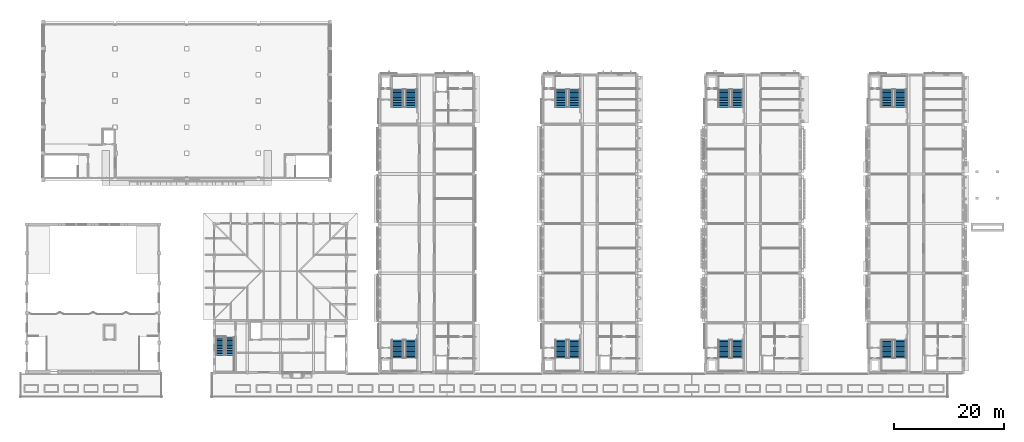
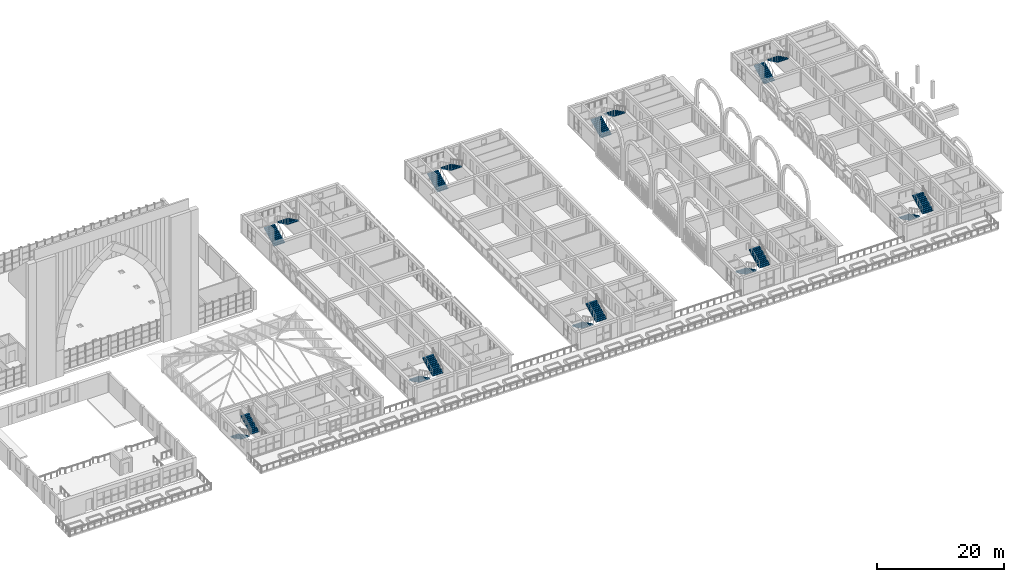
# One storey, part 60 of 82: 18 stair flights, 9 elements without a shape of their own.
"""IFC4 building model written with IfcOpenShell, lengths in metres."""

from ifc_helpers import new_model, si_unit, direction, frame, origin, place, context, subcontext, project, spatial, polyline, outline, extrude, material, type_object, element, aggregate, save


model = new_model("IFC4")

# Units and contexts
model_context = context("Model", 3, precision=1e-05, world=origin(), true_north=direction((0.0, 1.0)))
body_context = subcontext(model_context, "Body", "Model", "MODEL_VIEW")
ifc_project = project(units=[si_unit("LENGTHUNIT", "METRE"), si_unit("AREAUNIT", "SQUARE_METRE"), si_unit("VOLUMEUNIT", "CUBIC_METRE"), si_unit("PLANEANGLEUNIT", "RADIAN"), si_unit("MASSUNIT", "GRAM", prefix="KILO")], contexts=[model_context])

# Site, building, storey
site_placement = place(None, origin())
site = spatial("IfcSite", under=ifc_project, at=site_placement, CompositionType="ELEMENT")
building_placement = place(site_placement, origin())
building = spatial("IfcBuilding", under=site, at=building_placement, Name="Elbe Cascade School", CompositionType="ELEMENT")
storey_placement = place(building_placement, frame((0.0, 0.0, 4.5)))
storey = spatial("IfcBuildingStorey", under=building, at=storey_placement, Name="L01", CompositionType="ELEMENT", Elevation=4.5)

# Stair, stair flights
ifc_material_1 = material(Name="Concrete C30/37", Category="concrete")
stair_type_1 = type_object("IfcStairType", Name="Bar stair RC 150", PredefinedType="HALF_TURN_STAIR", material=ifc_material_1)
stair_1_placement = place(storey_placement, origin())
stair_1 = element("IfcStair", 1, at=stair_1_placement, inside=storey, type_object=stair_type_1, Name="Stair A1.S", PredefinedType="HALF_TURN_STAIR")
ifc_material_2 = material(Name="Concrete C30/37", Category="concrete")
stair_flight_type_1 = type_object("IfcStairFlightType", Name="Bar stair flight RC", PredefinedType="STRAIGHT", material=ifc_material_2)
stair_flight_1_placement = place(storey_placement, frame((72.27490234375, 11.89990234375, 0.0), z_axis=(0.0, 0.0, 1.0), x_axis=(0.0, -1.0, 0.0)))
stair_flight_1 = element("IfcStairFlight", 2, at=stair_flight_1_placement, type_object=stair_flight_type_1, Name="ST3 flight 1", NumberOfRisers=12, NumberOfTreads=11, PredefinedType="STRAIGHT", RiserHeight=0.15, TreadLength=0.3, context=body_context, shape_type="SweptSolid", body=[
    extrude(outline(polyline([(0.0, 0.0), (0.0, 0.14990234375), (0.300048828125, 0.14990234375), (0.300048828125, 0.300048828125), (0.60009765625, 0.300048828125), (0.60009765625, 0.449951171875), (0.89990234375, 0.449951171875), (0.89990234375, 0.60009765625), (1.199951171875, 0.60009765625), (1.199951171875, 0.75), (1.5, 0.75), (1.5, 0.89990234375), (1.800048828125, 0.89990234375), (1.800048828125, 1.050048828125), (2.10009765625, 1.050048828125), (2.10009765625, 1.199951171875), (2.39990234375, 1.199951171875), (2.39990234375, 1.35009765625), (2.699951171875, 1.35009765625), (2.699951171875, 1.5), (3.0, 1.5), (3.0, 1.64990234375), (3.300048828125, 1.64990234375), (3.300048828125, 1.800048828125), (3.300048828125, 1.482421875), (0.335205078125, 0.0), (0.0, 0.0)])), frame((0.0, 0.97509765625, 0.0), z_axis=(0.0, -1.0, 0.0), x_axis=(1.0, 0.0, 0.0)), (0.0, 0.0, 1.0), 1.949951171875),
])
stair_flight_2_placement = place(storey_placement, frame((74.72509765625, 8.60009765625, 1.800048828125), z_axis=(0.0, 0.0, 1.0), x_axis=(0.0, 1.0, 0.0)))
stair_flight_2 = element("IfcStairFlight", 3, at=stair_flight_2_placement, type_object=stair_flight_type_1, Name="ST3 flight 2", NumberOfRisers=12, NumberOfTreads=11, PredefinedType="STRAIGHT", RiserHeight=0.15, TreadLength=0.3, context=body_context, shape_type="SweptSolid", body=[
    extrude(outline(polyline([(0.0, 0.0), (0.0, 0.14990234375), (0.300048828125, 0.14990234375), (0.300048828125, 0.300048828125), (0.60009765625, 0.300048828125), (0.60009765625, 0.449951171875), (0.89990234375, 0.449951171875), (0.89990234375, 0.60009765625), (1.199951171875, 0.60009765625), (1.199951171875, 0.75), (1.5, 0.75), (1.5, 0.89990234375), (1.800048828125, 0.89990234375), (1.800048828125, 1.050048828125), (2.10009765625, 1.050048828125), (2.10009765625, 1.199951171875), (2.39990234375, 1.199951171875), (2.39990234375, 1.35009765625), (2.699951171875, 1.35009765625), (2.699951171875, 1.5), (3.0, 1.5), (3.0, 1.64990234375), (3.300048828125, 1.64990234375), (3.300048828125, 1.800048828125), (3.300048828125, 1.482421875), (0.335205078125, 0.0), (0.0, 0.0)])), frame((0.0, 0.97509765625, 0.0), z_axis=(0.0, -1.0, 0.0), x_axis=(1.0, 0.0, 0.0)), (0.0, 0.0, 1.0), 1.949951171875),
])
aggregate(stair_1, [stair_flight_1, stair_flight_2])

stair_2_placement = place(storey_placement, origin())
stair_2 = element("IfcStair", 4, at=stair_2_placement, inside=storey, type_object=stair_type_1, Name="Stair A1.N", PredefinedType="HALF_TURN_STAIR")
stair_flight_3_placement = place(storey_placement, frame((72.27490234375, 54.10009765625, 0.0), z_axis=(0.0, 0.0, 1.0), x_axis=(0.0, 1.0, 0.0)))
stair_flight_3 = element("IfcStairFlight", 5, at=stair_flight_3_placement, type_object=stair_flight_type_1, Name="ST3 flight 1", NumberOfRisers=12, NumberOfTreads=11, PredefinedType="STRAIGHT", RiserHeight=0.15, TreadLength=0.3, context=body_context, shape_type="SweptSolid", body=[
    extrude(outline(polyline([(0.0, 0.0), (0.0, 0.14990234375), (0.300048828125, 0.14990234375), (0.300048828125, 0.300048828125), (0.60009765625, 0.300048828125), (0.60009765625, 0.449951171875), (0.89990234375, 0.449951171875), (0.89990234375, 0.60009765625), (1.199951171875, 0.60009765625), (1.199951171875, 0.75), (1.5, 0.75), (1.5, 0.89990234375), (1.800048828125, 0.89990234375), (1.800048828125, 1.050048828125), (2.10009765625, 1.050048828125), (2.10009765625, 1.199951171875), (2.39990234375, 1.199951171875), (2.39990234375, 1.35009765625), (2.699951171875, 1.35009765625), (2.699951171875, 1.5), (3.0, 1.5), (3.0, 1.64990234375), (3.300048828125, 1.64990234375), (3.300048828125, 1.800048828125), (3.300048828125, 1.482421875), (0.335205078125, 0.0), (0.0, 0.0)])), frame((0.0, 0.97509765625, 0.0), z_axis=(0.0, -1.0, 0.0), x_axis=(1.0, 0.0, 0.0)), (0.0, 0.0, 1.0), 1.949951171875),
])
stair_flight_4_placement = place(storey_placement, frame((74.72509765625, 57.39990234375, 1.800048828125), z_axis=(0.0, 0.0, 1.0), x_axis=(0.0, -1.0, 0.0)))
stair_flight_4 = element("IfcStairFlight", 6, at=stair_flight_4_placement, type_object=stair_flight_type_1, Name="ST3 flight 2", NumberOfRisers=12, NumberOfTreads=11, PredefinedType="STRAIGHT", RiserHeight=0.15, TreadLength=0.3, context=body_context, shape_type="SweptSolid", body=[
    extrude(outline(polyline([(0.0, 0.0), (0.0, 0.14990234375), (0.300048828125, 0.14990234375), (0.300048828125, 0.300048828125), (0.60009765625, 0.300048828125), (0.60009765625, 0.449951171875), (0.89990234375, 0.449951171875), (0.89990234375, 0.60009765625), (1.199951171875, 0.60009765625), (1.199951171875, 0.75), (1.5, 0.75), (1.5, 0.89990234375), (1.800048828125, 0.89990234375), (1.800048828125, 1.050048828125), (2.10009765625, 1.050048828125), (2.10009765625, 1.199951171875), (2.39990234375, 1.199951171875), (2.39990234375, 1.35009765625), (2.699951171875, 1.35009765625), (2.699951171875, 1.5), (3.0, 1.5), (3.0, 1.64990234375), (3.300048828125, 1.64990234375), (3.300048828125, 1.800048828125), (3.300048828125, 1.482421875), (0.335205078125, 0.0), (0.0, 0.0)])), frame((0.0, 0.97509765625, 0.0), z_axis=(0.0, -1.0, 0.0), x_axis=(1.0, 0.0, 0.0)), (0.0, 0.0, 1.0), 1.949951171875),
])
aggregate(stair_2, [stair_flight_3, stair_flight_4])

stair_3_placement = place(storey_placement, origin())
stair_3 = element("IfcStair", 7, at=stair_3_placement, inside=storey, type_object=stair_type_1, Name="Stair B1.S", PredefinedType="HALF_TURN_STAIR")
stair_flight_5_placement = place(storey_placement, frame((101.875, 11.89990234375, 0.0), z_axis=(0.0, 0.0, 1.0), x_axis=(0.0, -1.0, 0.0)))
stair_flight_5 = element("IfcStairFlight", 8, at=stair_flight_5_placement, type_object=stair_flight_type_1, Name="ST3 flight 1", NumberOfRisers=12, NumberOfTreads=11, PredefinedType="STRAIGHT", RiserHeight=0.15, TreadLength=0.3, context=body_context, shape_type="SweptSolid", body=[
    extrude(outline(polyline([(0.0, 0.0), (0.0, 0.14990234375), (0.300048828125, 0.14990234375), (0.300048828125, 0.300048828125), (0.60009765625, 0.300048828125), (0.60009765625, 0.449951171875), (0.89990234375, 0.449951171875), (0.89990234375, 0.60009765625), (1.199951171875, 0.60009765625), (1.199951171875, 0.75), (1.5, 0.75), (1.5, 0.89990234375), (1.800048828125, 0.89990234375), (1.800048828125, 1.050048828125), (2.10009765625, 1.050048828125), (2.10009765625, 1.199951171875), (2.39990234375, 1.199951171875), (2.39990234375, 1.35009765625), (2.699951171875, 1.35009765625), (2.699951171875, 1.5), (3.0, 1.5), (3.0, 1.64990234375), (3.300048828125, 1.64990234375), (3.300048828125, 1.800048828125), (3.300048828125, 1.482421875), (0.335205078125, 0.0), (0.0, 0.0)])), frame((0.0, 0.97509765625, 0.0), z_axis=(0.0, -1.0, 0.0), x_axis=(1.0, 0.0, 0.0)), (0.0, 0.0, 1.0), 1.949951171875),
])
stair_flight_6_placement = place(storey_placement, frame((104.324951171875, 8.60009765625, 1.800048828125), z_axis=(0.0, 0.0, 1.0), x_axis=(0.0, 1.0, 0.0)))
stair_flight_6 = element("IfcStairFlight", 9, at=stair_flight_6_placement, type_object=stair_flight_type_1, Name="ST3 flight 2", NumberOfRisers=12, NumberOfTreads=11, PredefinedType="STRAIGHT", RiserHeight=0.15, TreadLength=0.3, context=body_context, shape_type="SweptSolid", body=[
    extrude(outline(polyline([(0.0, 0.0), (0.0, 0.14990234375), (0.300048828125, 0.14990234375), (0.300048828125, 0.300048828125), (0.60009765625, 0.300048828125), (0.60009765625, 0.449951171875), (0.89990234375, 0.449951171875), (0.89990234375, 0.60009765625), (1.199951171875, 0.60009765625), (1.199951171875, 0.75), (1.5, 0.75), (1.5, 0.89990234375), (1.800048828125, 0.89990234375), (1.800048828125, 1.050048828125), (2.10009765625, 1.050048828125), (2.10009765625, 1.199951171875), (2.39990234375, 1.199951171875), (2.39990234375, 1.35009765625), (2.699951171875, 1.35009765625), (2.699951171875, 1.5), (3.0, 1.5), (3.0, 1.64990234375), (3.300048828125, 1.64990234375), (3.300048828125, 1.800048828125), (3.300048828125, 1.482421875), (0.335205078125, 0.0), (0.0, 0.0)])), frame((0.0, 0.97509765625, 0.0), z_axis=(0.0, -1.0, 0.0), x_axis=(1.0, 0.0, 0.0)), (0.0, 0.0, 1.0), 1.949951171875),
])
aggregate(stair_3, [stair_flight_5, stair_flight_6])

stair_4_placement = place(storey_placement, origin())
stair_4 = element("IfcStair", 10, at=stair_4_placement, inside=storey, type_object=stair_type_1, Name="Stair B1.N", PredefinedType="HALF_TURN_STAIR")
stair_flight_7_placement = place(storey_placement, frame((101.875, 54.10009765625, 0.0), z_axis=(0.0, 0.0, 1.0), x_axis=(0.0, 1.0, 0.0)))
stair_flight_7 = element("IfcStairFlight", 11, at=stair_flight_7_placement, type_object=stair_flight_type_1, Name="ST3 flight 1", NumberOfRisers=12, NumberOfTreads=11, PredefinedType="STRAIGHT", RiserHeight=0.15, TreadLength=0.3, context=body_context, shape_type="SweptSolid", body=[
    extrude(outline(polyline([(0.0, 0.0), (0.0, 0.14990234375), (0.300048828125, 0.14990234375), (0.300048828125, 0.300048828125), (0.60009765625, 0.300048828125), (0.60009765625, 0.449951171875), (0.89990234375, 0.449951171875), (0.89990234375, 0.60009765625), (1.199951171875, 0.60009765625), (1.199951171875, 0.75), (1.5, 0.75), (1.5, 0.89990234375), (1.800048828125, 0.89990234375), (1.800048828125, 1.050048828125), (2.10009765625, 1.050048828125), (2.10009765625, 1.199951171875), (2.39990234375, 1.199951171875), (2.39990234375, 1.35009765625), (2.699951171875, 1.35009765625), (2.699951171875, 1.5), (3.0, 1.5), (3.0, 1.64990234375), (3.300048828125, 1.64990234375), (3.300048828125, 1.800048828125), (3.300048828125, 1.482421875), (0.335205078125, 0.0), (0.0, 0.0)])), frame((0.0, 0.97509765625, 0.0), z_axis=(0.0, -1.0, 0.0), x_axis=(1.0, 0.0, 0.0)), (0.0, 0.0, 1.0), 1.949951171875),
])
stair_flight_8_placement = place(storey_placement, frame((104.324951171875, 57.39990234375, 1.800048828125), z_axis=(0.0, 0.0, 1.0), x_axis=(0.0, -1.0, 0.0)))
stair_flight_8 = element("IfcStairFlight", 12, at=stair_flight_8_placement, type_object=stair_flight_type_1, Name="ST3 flight 2", NumberOfRisers=12, NumberOfTreads=11, PredefinedType="STRAIGHT", RiserHeight=0.15, TreadLength=0.3, context=body_context, shape_type="SweptSolid", body=[
    extrude(outline(polyline([(0.0, 0.0), (0.0, 0.14990234375), (0.300048828125, 0.14990234375), (0.300048828125, 0.300048828125), (0.60009765625, 0.300048828125), (0.60009765625, 0.449951171875), (0.89990234375, 0.449951171875), (0.89990234375, 0.60009765625), (1.199951171875, 0.60009765625), (1.199951171875, 0.75), (1.5, 0.75), (1.5, 0.89990234375), (1.800048828125, 0.89990234375), (1.800048828125, 1.050048828125), (2.10009765625, 1.050048828125), (2.10009765625, 1.199951171875), (2.39990234375, 1.199951171875), (2.39990234375, 1.35009765625), (2.699951171875, 1.35009765625), (2.699951171875, 1.5), (3.0, 1.5), (3.0, 1.64990234375), (3.300048828125, 1.64990234375), (3.300048828125, 1.800048828125), (3.300048828125, 1.482421875), (0.335205078125, 0.0), (0.0, 0.0)])), frame((0.0, 0.97509765625, 0.0), z_axis=(0.0, -1.0, 0.0), x_axis=(1.0, 0.0, 0.0)), (0.0, 0.0, 1.0), 1.949951171875),
])
aggregate(stair_4, [stair_flight_7, stair_flight_8])

stair_5_placement = place(storey_placement, origin())
stair_5 = element("IfcStair", 13, at=stair_5_placement, inside=storey, type_object=stair_type_1, Name="Stair C1.S", PredefinedType="HALF_TURN_STAIR")
stair_flight_9_placement = place(storey_placement, frame((131.47509765625, 11.89990234375, 0.0), z_axis=(0.0, 0.0, 1.0), x_axis=(0.0, -1.0, 0.0)))
stair_flight_9 = element("IfcStairFlight", 14, at=stair_flight_9_placement, type_object=stair_flight_type_1, Name="ST3 flight 1", NumberOfRisers=12, NumberOfTreads=11, PredefinedType="STRAIGHT", RiserHeight=0.15, TreadLength=0.3, context=body_context, shape_type="SweptSolid", body=[
    extrude(outline(polyline([(0.0, 0.0), (0.0, 0.14990234375), (0.300048828125, 0.14990234375), (0.300048828125, 0.300048828125), (0.60009765625, 0.300048828125), (0.60009765625, 0.449951171875), (0.89990234375, 0.449951171875), (0.89990234375, 0.60009765625), (1.199951171875, 0.60009765625), (1.199951171875, 0.75), (1.5, 0.75), (1.5, 0.89990234375), (1.800048828125, 0.89990234375), (1.800048828125, 1.050048828125), (2.10009765625, 1.050048828125), (2.10009765625, 1.199951171875), (2.39990234375, 1.199951171875), (2.39990234375, 1.35009765625), (2.699951171875, 1.35009765625), (2.699951171875, 1.5), (3.0, 1.5), (3.0, 1.64990234375), (3.300048828125, 1.64990234375), (3.300048828125, 1.800048828125), (3.300048828125, 1.482421875), (0.335205078125, 0.0), (0.0, 0.0)])), frame((0.0, 0.97509765625, 0.0), z_axis=(0.0, -1.0, 0.0), x_axis=(1.0, 0.0, 0.0)), (0.0, 0.0, 1.0), 1.949951171875),
])
stair_flight_10_placement = place(storey_placement, frame((133.925048828125, 8.60009765625, 1.800048828125), z_axis=(0.0, 0.0, 1.0), x_axis=(0.0, 1.0, 0.0)))
stair_flight_10 = element("IfcStairFlight", 15, at=stair_flight_10_placement, type_object=stair_flight_type_1, Name="ST3 flight 2", NumberOfRisers=12, NumberOfTreads=11, PredefinedType="STRAIGHT", RiserHeight=0.15, TreadLength=0.3, context=body_context, shape_type="SweptSolid", body=[
    extrude(outline(polyline([(0.0, 0.0), (0.0, 0.14990234375), (0.300048828125, 0.14990234375), (0.300048828125, 0.300048828125), (0.60009765625, 0.300048828125), (0.60009765625, 0.449951171875), (0.89990234375, 0.449951171875), (0.89990234375, 0.60009765625), (1.199951171875, 0.60009765625), (1.199951171875, 0.75), (1.5, 0.75), (1.5, 0.89990234375), (1.800048828125, 0.89990234375), (1.800048828125, 1.050048828125), (2.10009765625, 1.050048828125), (2.10009765625, 1.199951171875), (2.39990234375, 1.199951171875), (2.39990234375, 1.35009765625), (2.699951171875, 1.35009765625), (2.699951171875, 1.5), (3.0, 1.5), (3.0, 1.64990234375), (3.300048828125, 1.64990234375), (3.300048828125, 1.800048828125), (3.300048828125, 1.482421875), (0.335205078125, 0.0), (0.0, 0.0)])), frame((0.0, 0.97509765625, 0.0), z_axis=(0.0, -1.0, 0.0), x_axis=(1.0, 0.0, 0.0)), (0.0, 0.0, 1.0), 1.949951171875),
])
aggregate(stair_5, [stair_flight_9, stair_flight_10])

stair_6_placement = place(storey_placement, origin())
stair_6 = element("IfcStair", 16, at=stair_6_placement, inside=storey, type_object=stair_type_1, Name="Stair C1.N", PredefinedType="HALF_TURN_STAIR")
stair_flight_11_placement = place(storey_placement, frame((131.47509765625, 54.10009765625, 0.0), z_axis=(0.0, 0.0, 1.0), x_axis=(0.0, 1.0, 0.0)))
stair_flight_11 = element("IfcStairFlight", 17, at=stair_flight_11_placement, type_object=stair_flight_type_1, Name="ST3 flight 1", NumberOfRisers=12, NumberOfTreads=11, PredefinedType="STRAIGHT", RiserHeight=0.15, TreadLength=0.3, context=body_context, shape_type="SweptSolid", body=[
    extrude(outline(polyline([(0.0, 0.0), (0.0, 0.14990234375), (0.300048828125, 0.14990234375), (0.300048828125, 0.300048828125), (0.60009765625, 0.300048828125), (0.60009765625, 0.449951171875), (0.89990234375, 0.449951171875), (0.89990234375, 0.60009765625), (1.199951171875, 0.60009765625), (1.199951171875, 0.75), (1.5, 0.75), (1.5, 0.89990234375), (1.800048828125, 0.89990234375), (1.800048828125, 1.050048828125), (2.10009765625, 1.050048828125), (2.10009765625, 1.199951171875), (2.39990234375, 1.199951171875), (2.39990234375, 1.35009765625), (2.699951171875, 1.35009765625), (2.699951171875, 1.5), (3.0, 1.5), (3.0, 1.64990234375), (3.300048828125, 1.64990234375), (3.300048828125, 1.800048828125), (3.300048828125, 1.482421875), (0.335205078125, 0.0), (0.0, 0.0)])), frame((0.0, 0.97509765625, 0.0), z_axis=(0.0, -1.0, 0.0), x_axis=(1.0, 0.0, 0.0)), (0.0, 0.0, 1.0), 1.949951171875),
])
stair_flight_12_placement = place(storey_placement, frame((133.925048828125, 57.39990234375, 1.800048828125), z_axis=(0.0, 0.0, 1.0), x_axis=(0.0, -1.0, 0.0)))
stair_flight_12 = element("IfcStairFlight", 18, at=stair_flight_12_placement, type_object=stair_flight_type_1, Name="ST3 flight 2", NumberOfRisers=12, NumberOfTreads=11, PredefinedType="STRAIGHT", RiserHeight=0.15, TreadLength=0.3, context=body_context, shape_type="SweptSolid", body=[
    extrude(outline(polyline([(0.0, 0.0), (0.0, 0.14990234375), (0.300048828125, 0.14990234375), (0.300048828125, 0.300048828125), (0.60009765625, 0.300048828125), (0.60009765625, 0.449951171875), (0.89990234375, 0.449951171875), (0.89990234375, 0.60009765625), (1.199951171875, 0.60009765625), (1.199951171875, 0.75), (1.5, 0.75), (1.5, 0.89990234375), (1.800048828125, 0.89990234375), (1.800048828125, 1.050048828125), (2.10009765625, 1.050048828125), (2.10009765625, 1.199951171875), (2.39990234375, 1.199951171875), (2.39990234375, 1.35009765625), (2.699951171875, 1.35009765625), (2.699951171875, 1.5), (3.0, 1.5), (3.0, 1.64990234375), (3.300048828125, 1.64990234375), (3.300048828125, 1.800048828125), (3.300048828125, 1.482421875), (0.335205078125, 0.0), (0.0, 0.0)])), frame((0.0, 0.97509765625, 0.0), z_axis=(0.0, -1.0, 0.0), x_axis=(1.0, 0.0, 0.0)), (0.0, 0.0, 1.0), 1.949951171875),
])
aggregate(stair_6, [stair_flight_11, stair_flight_12])

stair_7_placement = place(storey_placement, origin())
stair_7 = element("IfcStair", 19, at=stair_7_placement, inside=storey, type_object=stair_type_1, Name="Stair D1.S", PredefinedType="HALF_TURN_STAIR")
stair_flight_13_placement = place(storey_placement, frame((161.074951171875, 11.89990234375, 0.0), z_axis=(0.0, 0.0, 1.0), x_axis=(0.0, -1.0, 0.0)))
stair_flight_13 = element("IfcStairFlight", 20, at=stair_flight_13_placement, type_object=stair_flight_type_1, Name="ST3 flight 1", NumberOfRisers=12, NumberOfTreads=11, PredefinedType="STRAIGHT", RiserHeight=0.15, TreadLength=0.3, context=body_context, shape_type="SweptSolid", body=[
    extrude(outline(polyline([(0.0, 0.0), (0.0, 0.14990234375), (0.300048828125, 0.14990234375), (0.300048828125, 0.300048828125), (0.60009765625, 0.300048828125), (0.60009765625, 0.449951171875), (0.89990234375, 0.449951171875), (0.89990234375, 0.60009765625), (1.199951171875, 0.60009765625), (1.199951171875, 0.75), (1.5, 0.75), (1.5, 0.89990234375), (1.800048828125, 0.89990234375), (1.800048828125, 1.050048828125), (2.10009765625, 1.050048828125), (2.10009765625, 1.199951171875), (2.39990234375, 1.199951171875), (2.39990234375, 1.35009765625), (2.699951171875, 1.35009765625), (2.699951171875, 1.5), (3.0, 1.5), (3.0, 1.64990234375), (3.300048828125, 1.64990234375), (3.300048828125, 1.800048828125), (3.300048828125, 1.482421875), (0.335205078125, 0.0), (0.0, 0.0)])), frame((0.0, 0.97509765625, 0.0), z_axis=(0.0, -1.0, 0.0), x_axis=(1.0, 0.0, 0.0)), (0.0, 0.0, 1.0), 1.949951171875),
])
stair_flight_14_placement = place(storey_placement, frame((163.52490234375, 8.60009765625, 1.800048828125), z_axis=(0.0, 0.0, 1.0), x_axis=(0.0, 1.0, 0.0)))
stair_flight_14 = element("IfcStairFlight", 21, at=stair_flight_14_placement, type_object=stair_flight_type_1, Name="ST3 flight 2", NumberOfRisers=12, NumberOfTreads=11, PredefinedType="STRAIGHT", RiserHeight=0.15, TreadLength=0.3, context=body_context, shape_type="SweptSolid", body=[
    extrude(outline(polyline([(0.0, 0.0), (0.0, 0.14990234375), (0.300048828125, 0.14990234375), (0.300048828125, 0.300048828125), (0.60009765625, 0.300048828125), (0.60009765625, 0.449951171875), (0.89990234375, 0.449951171875), (0.89990234375, 0.60009765625), (1.199951171875, 0.60009765625), (1.199951171875, 0.75), (1.5, 0.75), (1.5, 0.89990234375), (1.800048828125, 0.89990234375), (1.800048828125, 1.050048828125), (2.10009765625, 1.050048828125), (2.10009765625, 1.199951171875), (2.39990234375, 1.199951171875), (2.39990234375, 1.35009765625), (2.699951171875, 1.35009765625), (2.699951171875, 1.5), (3.0, 1.5), (3.0, 1.64990234375), (3.300048828125, 1.64990234375), (3.300048828125, 1.800048828125), (3.300048828125, 1.482421875), (0.335205078125, 0.0), (0.0, 0.0)])), frame((0.0, 0.97509765625, 0.0), z_axis=(0.0, -1.0, 0.0), x_axis=(1.0, 0.0, 0.0)), (0.0, 0.0, 1.0), 1.949951171875),
])
aggregate(stair_7, [stair_flight_13, stair_flight_14])

stair_8_placement = place(storey_placement, origin())
stair_8 = element("IfcStair", 22, at=stair_8_placement, inside=storey, type_object=stair_type_1, Name="Stair D1.N", PredefinedType="HALF_TURN_STAIR")
stair_flight_15_placement = place(storey_placement, frame((161.074951171875, 54.10009765625, 0.0), z_axis=(0.0, 0.0, 1.0), x_axis=(0.0, 1.0, 0.0)))
stair_flight_15 = element("IfcStairFlight", 23, at=stair_flight_15_placement, type_object=stair_flight_type_1, Name="ST3 flight 1", NumberOfRisers=12, NumberOfTreads=11, PredefinedType="STRAIGHT", RiserHeight=0.15, TreadLength=0.3, context=body_context, shape_type="SweptSolid", body=[
    extrude(outline(polyline([(0.0, 0.0), (0.0, 0.14990234375), (0.300048828125, 0.14990234375), (0.300048828125, 0.300048828125), (0.60009765625, 0.300048828125), (0.60009765625, 0.449951171875), (0.89990234375, 0.449951171875), (0.89990234375, 0.60009765625), (1.199951171875, 0.60009765625), (1.199951171875, 0.75), (1.5, 0.75), (1.5, 0.89990234375), (1.800048828125, 0.89990234375), (1.800048828125, 1.050048828125), (2.10009765625, 1.050048828125), (2.10009765625, 1.199951171875), (2.39990234375, 1.199951171875), (2.39990234375, 1.35009765625), (2.699951171875, 1.35009765625), (2.699951171875, 1.5), (3.0, 1.5), (3.0, 1.64990234375), (3.300048828125, 1.64990234375), (3.300048828125, 1.800048828125), (3.300048828125, 1.482421875), (0.335205078125, 0.0), (0.0, 0.0)])), frame((0.0, 0.97509765625, 0.0), z_axis=(0.0, -1.0, 0.0), x_axis=(1.0, 0.0, 0.0)), (0.0, 0.0, 1.0), 1.949951171875),
])
stair_flight_16_placement = place(storey_placement, frame((163.52490234375, 57.39990234375, 1.800048828125), z_axis=(0.0, 0.0, 1.0), x_axis=(0.0, -1.0, 0.0)))
stair_flight_16 = element("IfcStairFlight", 24, at=stair_flight_16_placement, type_object=stair_flight_type_1, Name="ST3 flight 2", NumberOfRisers=12, NumberOfTreads=11, PredefinedType="STRAIGHT", RiserHeight=0.15, TreadLength=0.3, context=body_context, shape_type="SweptSolid", body=[
    extrude(outline(polyline([(0.0, 0.0), (0.0, 0.14990234375), (0.300048828125, 0.14990234375), (0.300048828125, 0.300048828125), (0.60009765625, 0.300048828125), (0.60009765625, 0.449951171875), (0.89990234375, 0.449951171875), (0.89990234375, 0.60009765625), (1.199951171875, 0.60009765625), (1.199951171875, 0.75), (1.5, 0.75), (1.5, 0.89990234375), (1.800048828125, 0.89990234375), (1.800048828125, 1.050048828125), (2.10009765625, 1.050048828125), (2.10009765625, 1.199951171875), (2.39990234375, 1.199951171875), (2.39990234375, 1.35009765625), (2.699951171875, 1.35009765625), (2.699951171875, 1.5), (3.0, 1.5), (3.0, 1.64990234375), (3.300048828125, 1.64990234375), (3.300048828125, 1.800048828125), (3.300048828125, 1.482421875), (0.335205078125, 0.0), (0.0, 0.0)])), frame((0.0, 0.97509765625, 0.0), z_axis=(0.0, -1.0, 0.0), x_axis=(1.0, 0.0, 0.0)), (0.0, 0.0, 1.0), 1.949951171875),
])
aggregate(stair_8, [stair_flight_15, stair_flight_16])

ifc_material_3 = material(Name="Concrete C30/37", Category="concrete")
stair_type_2 = type_object("IfcStairType", Name="Cafe wing dogleg stair", PredefinedType="HALF_TURN_STAIR", material=ifc_material_3)
stair_9_placement = place(storey_placement, origin())
stair_9 = element("IfcStair", 25, at=stair_9_placement, inside=storey, type_object=stair_type_2, Name="Cafe wing dogleg stair ST7", PredefinedType="HALF_TURN_STAIR")
ifc_material_4 = material(Name="Concrete C30/37", Category="concrete")
stair_flight_type_2 = type_object("IfcStairFlightType", Name="Cafe wing stair flight", PredefinedType="STRAIGHT", material=ifc_material_4)
stair_flight_17_placement = place(storey_placement, frame((40.050048828125, 12.39990234375, 0.0), z_axis=(0.0, 0.0, 1.0), x_axis=(0.0, -1.0, 0.0)))
stair_flight_17 = element("IfcStairFlight", 26, at=stair_flight_17_placement, type_object=stair_flight_type_2, Name="ST7 flight 1", NumberOfRisers=12, NumberOfTreads=11, PredefinedType="STRAIGHT", RiserHeight=0.15, TreadLength=0.3, context=body_context, shape_type="SweptSolid", body=[
    extrude(outline(polyline([(0.0, 0.0), (0.0, 0.14990234375), (0.300048828125, 0.14990234375), (0.300048828125, 0.300048828125), (0.60009765625, 0.300048828125), (0.60009765625, 0.449951171875), (0.89990234375, 0.449951171875), (0.89990234375, 0.60009765625), (1.199951171875, 0.60009765625), (1.199951171875, 0.75), (1.5, 0.75), (1.5, 0.89990234375), (1.800048828125, 0.89990234375), (1.800048828125, 1.050048828125), (2.10009765625, 1.050048828125), (2.10009765625, 1.199951171875), (2.39990234375, 1.199951171875), (2.39990234375, 1.35009765625), (2.699951171875, 1.35009765625), (2.699951171875, 1.5), (3.0, 1.5), (3.0, 1.64990234375), (3.300048828125, 1.64990234375), (3.300048828125, 1.800048828125), (3.300048828125, 1.482421875), (0.335205078125, 0.0), (0.0, 0.0)])), frame((0.0, 0.75, 0.0), z_axis=(0.0, -1.0, 0.0), x_axis=(1.0, 0.0, 0.0)), (0.0, 0.0, 1.0), 1.5),
])
stair_flight_18_placement = place(storey_placement, frame((41.85009765625, 9.10009765625, 1.800048828125), z_axis=(0.0, 0.0, 1.0), x_axis=(0.0, 1.0, 0.0)))
stair_flight_18 = element("IfcStairFlight", 27, at=stair_flight_18_placement, type_object=stair_flight_type_2, Name="ST7 flight 2", NumberOfRisers=12, NumberOfTreads=11, PredefinedType="STRAIGHT", RiserHeight=0.15, TreadLength=0.3, context=body_context, shape_type="SweptSolid", body=[
    extrude(outline(polyline([(0.0, 0.0), (0.0, 0.14990234375), (0.300048828125, 0.14990234375), (0.300048828125, 0.300048828125), (0.60009765625, 0.300048828125), (0.60009765625, 0.449951171875), (0.89990234375, 0.449951171875), (0.89990234375, 0.60009765625), (1.199951171875, 0.60009765625), (1.199951171875, 0.75), (1.5, 0.75), (1.5, 0.89990234375), (1.800048828125, 0.89990234375), (1.800048828125, 1.050048828125), (2.10009765625, 1.050048828125), (2.10009765625, 1.199951171875), (2.39990234375, 1.199951171875), (2.39990234375, 1.35009765625), (2.699951171875, 1.35009765625), (2.699951171875, 1.5), (3.0, 1.5), (3.0, 1.64990234375), (3.300048828125, 1.64990234375), (3.300048828125, 1.800048828125), (3.300048828125, 1.482421875), (0.335205078125, 0.0), (0.0, 0.0)])), frame((0.0, 0.75, 0.0), z_axis=(0.0, -1.0, 0.0), x_axis=(1.0, 0.0, 0.0)), (0.0, 0.0, 1.0), 1.5),
])
aggregate(stair_9, [stair_flight_17, stair_flight_18])

save(model, "model.ifc")
